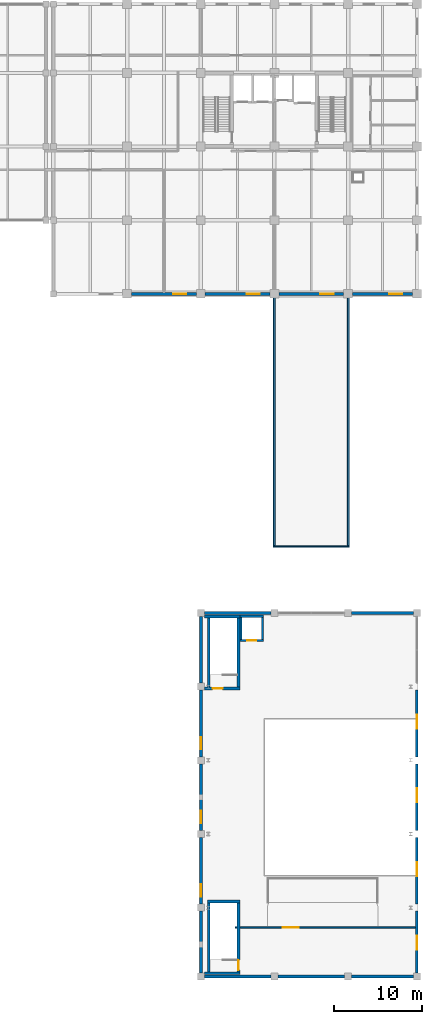
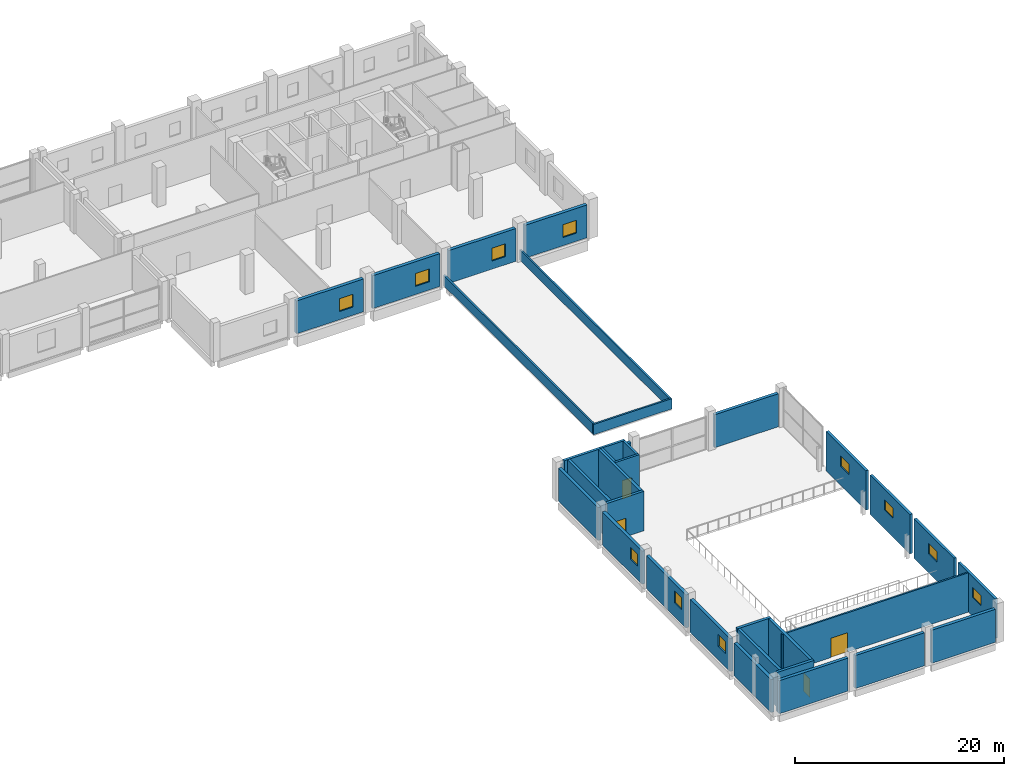
# One storey, part 23 of 31: 34 walls, 11 windows, 4 doors, 15 openings.
"""IFC4 building model written with IfcOpenShell, lengths in metres."""

from ifc_helpers import new_model, si_unit, direction, frame, frame_2d, origin, place, context, subcontext, project, spatial, rectangle, extrude, material, layer, layer_set, type_object, element, fill, save


model = new_model("IFC4")

# Units and contexts
model_context = context("Model", 3, precision=1e-05, world=origin(), true_north=direction((0.0, 1.0)))
body_context = subcontext(model_context, "Body", "Model", "MODEL_VIEW")
ifc_project = project(units=[si_unit("LENGTHUNIT", "METRE"), si_unit("AREAUNIT", "SQUARE_METRE"), si_unit("VOLUMEUNIT", "CUBIC_METRE"), si_unit("PLANEANGLEUNIT", "RADIAN"), si_unit("MASSUNIT", "GRAM", prefix="KILO")], contexts=[model_context])

# Site, building, storey
site_placement = place(None, origin())
site = spatial("IfcSite", under=ifc_project, at=site_placement, CompositionType="ELEMENT")
building_placement = place(site_placement, origin())
building = spatial("IfcBuilding", under=site, at=building_placement, Name="Brinegate Botanical Conservatory", CompositionType="ELEMENT")
storey_placement = place(building_placement, frame((0.0, 0.0, 5.39990234375)))
storey = spatial("IfcBuildingStorey", under=building, at=storey_placement, Name="L02", CompositionType="ELEMENT", Elevation=5.39990234375)

# Wall, opening, window
ifc_material_1 = material(Name="Precast concrete C40/50 architectural panel", Category="concrete")
ifc_layer_1 = layer(ifc_material_1, 0.280029296875, Name="Precast concrete C40/50 architectural panel", Category="concrete")
ifc_layer_set_1 = layer_set([ifc_layer_1], Name="Precast concrete C40/50 architectural panel")
wall_type_1 = type_object("IfcWallType", Name="Wall_EW-280P", PredefinedType="STANDARD", material=ifc_layer_set_1)
wall_1_placement = place(storey_placement, frame((163.449951171875, 8.0, 0.0), z_axis=(0.0, 0.0, 1.0), x_axis=(0.0, -1.0, 0.0)))
wall_1 = element("IfcWall", 1, at=wall_1_placement, inside=storey, type_object=wall_type_1, Name="Auditorium east acoustic wall L02.1", PredefinedType="STANDARD", context=body_context, shape_type="SweptSolid", body=[
    extrude(rectangle(XDim=7.050048828125, YDim=0.280029296875, at=frame_2d((3.52490234375, 0.0))), origin(), (0.0, 0.0, 1.0), 4.60009765625),
])
opening_1_placement = place(wall_1_placement, frame((2.800048828125, 0.0, 2.199951171875)))
opening_1 = element("IfcOpeningElement", 2, at=opening_1_placement, cuts=wall_1, Name="Opening WN-17", PredefinedType="OPENING", context=body_context, shape_type="SweptSolid", body=[
    extrude(rectangle(XDim=1.60009765625, YDim=1.199951171875, at=frame_2d((0.800048828125, 0.60009765625))), frame((0.0, 0.14990234375, 0.0), z_axis=(0.0, -1.0, 0.0), x_axis=(1.0, 0.0, 0.0)), (0.0, 0.0, 1.0), 0.300048828125),
])
ifc_material_2 = material(Name="Thermally broken aluminium-framed Low-E glass", Category="aluminium")
window_type_1 = type_object("IfcWindowType", Name="Win_WN-17", PartitioningType="DOUBLE_PANEL_HORIZONTAL", PredefinedType="WINDOW", material=ifc_material_2)
window_1_placement = place(opening_1_placement, origin())
window_1 = element("IfcWindow", 3, at=window_1_placement, inside=storey, type_object=window_type_1, Name="Auditorium east clerestory window 1", OverallHeight=1.199951171875, OverallWidth=1.60009765625, PartitioningType="DOUBLE_PANEL_HORIZONTAL", PredefinedType="WINDOW", context=body_context, shape_type="SweptSolid", body=[
    extrude(rectangle(XDim=1.60009765625, YDim=1.199951171875, at=frame_2d((0.800048828125, 0.60009765625))), frame((0.0, 0.030029296875, 0.0), z_axis=(0.0, -1.0, 0.0), x_axis=(1.0, 0.0, 0.0)), (0.0, 0.0, 1.0), 0.06005859375),
])
fill(opening_1, window_1)

wall_2_placement = place(storey_placement, frame((163.449951171875, 16.39990234375, 0.0), z_axis=(0.0, 0.0, 1.0), x_axis=(0.0, -1.0, 0.0)))
wall_2 = element("IfcWall", 4, at=wall_2_placement, inside=storey, type_object=wall_type_1, Name="Auditorium east acoustic wall L02.2", PredefinedType="STANDARD", context=body_context, shape_type="SweptSolid", body=[
    extrude(rectangle(XDim=7.599853515625, YDim=0.280029296875, at=frame_2d((3.7998046875, 0.0))), origin(), (0.0, 0.0, 1.0), 4.60009765625),
])
opening_2_placement = place(wall_2_placement, frame((2.800048828125, 0.0, 2.199951171875)))
opening_2 = element("IfcOpeningElement", 5, at=opening_2_placement, cuts=wall_2, Name="Opening WN-17", PredefinedType="OPENING", context=body_context, shape_type="SweptSolid", body=[
    extrude(rectangle(XDim=1.60009765625, YDim=1.199951171875, at=frame_2d((0.800048828125, 0.60009765625))), frame((0.0, 0.14990234375, 0.0), z_axis=(0.0, -1.0, 0.0), x_axis=(1.0, 0.0, 0.0)), (0.0, 0.0, 1.0), 0.300048828125),
])
window_2_placement = place(opening_2_placement, origin())
window_2 = element("IfcWindow", 6, at=window_2_placement, inside=storey, type_object=window_type_1, Name="Auditorium east clerestory window 2", OverallHeight=1.199951171875, OverallWidth=1.60009765625, PartitioningType="DOUBLE_PANEL_HORIZONTAL", PredefinedType="WINDOW", context=body_context, shape_type="SweptSolid", body=[
    extrude(rectangle(XDim=1.60009765625, YDim=1.199951171875, at=frame_2d((0.800048828125, 0.60009765625))), frame((0.0, 0.030029296875, 0.0), z_axis=(0.0, -1.0, 0.0), x_axis=(1.0, 0.0, 0.0)), (0.0, 0.0, 1.0), 0.06005859375),
])
fill(opening_2, window_2)

wall_3_placement = place(storey_placement, frame((163.449951171875, 24.800048828125, 0.0), z_axis=(0.0, 0.0, 1.0), x_axis=(0.0, -1.0, 0.0)))
wall_3 = element("IfcWall", 7, at=wall_3_placement, inside=storey, type_object=wall_type_1, Name="Auditorium east acoustic wall L02.3", PredefinedType="STANDARD", context=body_context, shape_type="SweptSolid", body=[
    extrude(rectangle(XDim=7.60009765625, YDim=0.280029296875, at=frame_2d((3.800048828125, 0.0))), origin(), (0.0, 0.0, 1.0), 4.60009765625),
])
opening_3_placement = place(wall_3_placement, frame((2.800048828125, 0.0, 2.199951171875)))
opening_3 = element("IfcOpeningElement", 8, at=opening_3_placement, cuts=wall_3, Name="Opening WN-17", PredefinedType="OPENING", context=body_context, shape_type="SweptSolid", body=[
    extrude(rectangle(XDim=1.60009765625, YDim=1.199951171875, at=frame_2d((0.800048828125, 0.60009765625))), frame((0.0, 0.14990234375, 0.0), z_axis=(0.0, -1.0, 0.0), x_axis=(1.0, 0.0, 0.0)), (0.0, 0.0, 1.0), 0.300048828125),
])
window_3_placement = place(opening_3_placement, origin())
window_3 = element("IfcWindow", 9, at=window_3_placement, inside=storey, type_object=window_type_1, Name="Auditorium east clerestory window 3", OverallHeight=1.199951171875, OverallWidth=1.60009765625, PartitioningType="DOUBLE_PANEL_HORIZONTAL", PredefinedType="WINDOW", context=body_context, shape_type="SweptSolid", body=[
    extrude(rectangle(XDim=1.60009765625, YDim=1.199951171875, at=frame_2d((0.800048828125, 0.60009765625))), frame((0.0, 0.030029296875, 0.0), z_axis=(0.0, -1.0, 0.0), x_axis=(1.0, 0.0, 0.0)), (0.0, 0.0, 1.0), 0.06005859375),
])
fill(opening_3, window_3)

wall_4_placement = place(storey_placement, frame((163.449951171875, 33.199951171875, 0.0), z_axis=(0.0, 0.0, 1.0), x_axis=(0.0, -1.0, 0.0)))
wall_4 = element("IfcWall", 10, at=wall_4_placement, inside=storey, type_object=wall_type_1, Name="Auditorium east acoustic wall L02.4", PredefinedType="STANDARD", context=body_context, shape_type="SweptSolid", body=[
    extrude(rectangle(XDim=7.599853515625, YDim=0.280029296875, at=frame_2d((3.7998046875, 0.0))), origin(), (0.0, 0.0, 1.0), 4.60009765625),
])
opening_4_placement = place(wall_4_placement, frame((2.800048828125, 0.0, 2.199951171875)))
opening_4 = element("IfcOpeningElement", 11, at=opening_4_placement, cuts=wall_4, Name="Opening WN-17", PredefinedType="OPENING", context=body_context, shape_type="SweptSolid", body=[
    extrude(rectangle(XDim=1.60009765625, YDim=1.199951171875, at=frame_2d((0.800048828125, 0.60009765625))), frame((0.0, 0.14990234375, 0.0), z_axis=(0.0, -1.0, 0.0), x_axis=(1.0, 0.0, 0.0)), (0.0, 0.0, 1.0), 0.300048828125),
])
window_4_placement = place(opening_4_placement, origin())
window_4 = element("IfcWindow", 12, at=window_4_placement, inside=storey, type_object=window_type_1, Name="Auditorium east clerestory window 4", OverallHeight=1.199951171875, OverallWidth=1.60009765625, PartitioningType="DOUBLE_PANEL_HORIZONTAL", PredefinedType="WINDOW", context=body_context, shape_type="SweptSolid", body=[
    extrude(rectangle(XDim=1.60009765625, YDim=1.199951171875, at=frame_2d((0.800048828125, 0.60009765625))), frame((0.0, 0.030029296875, 0.0), z_axis=(0.0, -1.0, 0.0), x_axis=(1.0, 0.0, 0.0)), (0.0, 0.0, 1.0), 0.06005859375),
])
fill(opening_4, window_4)

# Wall
ifc_material_3 = material(Name="Insulated Minnan red clay brick masonry", Category="masonry")
ifc_layer_2 = layer(ifc_material_3, 0.340087890625, Name="Insulated Minnan red clay brick masonry", Category="masonry")
ifc_layer_set_2 = layer_set([ifc_layer_2], Name="Insulated Minnan red clay brick masonry")
wall_type_2 = type_object("IfcWallType", Name="Wall_EW-340B", PredefinedType="STANDARD", material=ifc_layer_set_2)
wall_5_placement = place(storey_placement, frame((138.800048828125, 0.949951171875, 0.0), z_axis=(0.0, 0.0, 1.0), x_axis=(0.0, 1.0, 0.0)))
element("IfcWall", 13, at=wall_5_placement, inside=storey, type_object=wall_type_2, Name="Auditorium west red-brick wall L02.1", PredefinedType="STANDARD", context=body_context, shape_type="SweptSolid", body=[
    extrude(rectangle(XDim=7.050048828125, YDim=0.340087890625, at=frame_2d((3.52490234375, 0.0))), origin(), (0.0, 0.0, 1.0), 3.85009765625),
])

# Wall, opening, window
wall_6_placement = place(storey_placement, frame((138.800048828125, 8.800048828125, 0.0), z_axis=(0.0, 0.0, 1.0), x_axis=(0.0, 1.0, 0.0)))
wall_6 = element("IfcWall", 14, at=wall_6_placement, inside=storey, type_object=wall_type_2, Name="Auditorium west red-brick wall L02.2", PredefinedType="STANDARD", context=body_context, shape_type="SweptSolid", body=[
    extrude(rectangle(XDim=7.599853515625, YDim=0.340087890625, at=frame_2d((3.7998046875, 0.0))), origin(), (0.0, 0.0, 1.0), 3.85009765625),
])
opening_5_placement = place(wall_6_placement, frame((0.85009765625, 0.0, 1.60009765625)))
opening_5 = element("IfcOpeningElement", 15, at=opening_5_placement, cuts=wall_6, Name="Opening WN-16", PredefinedType="OPENING", context=body_context, shape_type="SweptSolid", body=[
    extrude(rectangle(XDim=1.39990234375, YDim=1.39990234375, at=frame_2d((0.699951171875, 0.699951171875))), frame((0.0, 0.179931640625, 0.0), z_axis=(0.0, -1.0, 0.0), x_axis=(1.0, 0.0, 0.0)), (0.0, 0.0, 1.0), 0.360107421875),
])
window_type_2 = type_object("IfcWindowType", Name="Win_WN-16", PartitioningType="SINGLE_PANEL", PredefinedType="WINDOW", material=ifc_material_2)
window_5_placement = place(opening_5_placement, origin())
window_5 = element("IfcWindow", 16, at=window_5_placement, inside=storey, type_object=window_type_2, Name="Auditorium west auxiliary window L02.2", OverallHeight=1.39990234375, OverallWidth=1.39990234375, PartitioningType="SINGLE_PANEL", PredefinedType="WINDOW", context=body_context, shape_type="SweptSolid", body=[
    extrude(rectangle(XDim=1.39990234375, YDim=1.39990234375, at=frame_2d((0.699951171875, 0.699951171875))), frame((0.0, 0.030029296875, 0.0), z_axis=(0.0, -1.0, 0.0), x_axis=(1.0, 0.0, 0.0)), (0.0, 0.0, 1.0), 0.06005859375),
])
fill(opening_5, window_5)

wall_7_placement = place(storey_placement, frame((138.800048828125, 17.199951171875, 0.0), z_axis=(0.0, 0.0, 1.0), x_axis=(0.0, 1.0, 0.0)))
wall_7 = element("IfcWall", 17, at=wall_7_placement, inside=storey, type_object=wall_type_2, Name="Auditorium west red-brick wall L02.3", PredefinedType="STANDARD", context=body_context, shape_type="SweptSolid", body=[
    extrude(rectangle(XDim=7.60009765625, YDim=0.340087890625, at=frame_2d((3.800048828125, 0.0))), origin(), (0.0, 0.0, 1.0), 3.85009765625),
])
opening_6_placement = place(wall_7_placement, frame((0.85009765625, 0.0, 1.60009765625)))
opening_6 = element("IfcOpeningElement", 18, at=opening_6_placement, cuts=wall_7, Name="Opening WN-16", PredefinedType="OPENING", context=body_context, shape_type="SweptSolid", body=[
    extrude(rectangle(XDim=1.39990234375, YDim=1.39990234375, at=frame_2d((0.699951171875, 0.699951171875))), frame((0.0, 0.179931640625, 0.0), z_axis=(0.0, -1.0, 0.0), x_axis=(1.0, 0.0, 0.0)), (0.0, 0.0, 1.0), 0.360107421875),
])
window_6_placement = place(opening_6_placement, origin())
window_6 = element("IfcWindow", 19, at=window_6_placement, inside=storey, type_object=window_type_2, Name="Auditorium west auxiliary window L02.3", OverallHeight=1.39990234375, OverallWidth=1.39990234375, PartitioningType="SINGLE_PANEL", PredefinedType="WINDOW", context=body_context, shape_type="SweptSolid", body=[
    extrude(rectangle(XDim=1.39990234375, YDim=1.39990234375, at=frame_2d((0.699951171875, 0.699951171875))), frame((0.0, 0.030029296875, 0.0), z_axis=(0.0, -1.0, 0.0), x_axis=(1.0, 0.0, 0.0)), (0.0, 0.0, 1.0), 0.06005859375),
])
fill(opening_6, window_6)

wall_8_placement = place(storey_placement, frame((138.800048828125, 25.60009765625, 0.0), z_axis=(0.0, 0.0, 1.0), x_axis=(0.0, 1.0, 0.0)))
wall_8 = element("IfcWall", 20, at=wall_8_placement, inside=storey, type_object=wall_type_2, Name="Auditorium west red-brick wall L02.4", PredefinedType="STANDARD", context=body_context, shape_type="SweptSolid", body=[
    extrude(rectangle(XDim=7.599853515625, YDim=0.340087890625, at=frame_2d((3.7998046875, 0.0))), origin(), (0.0, 0.0, 1.0), 3.85009765625),
])
opening_7_placement = place(wall_8_placement, frame((0.85009765625, 0.0, 1.60009765625)))
opening_7 = element("IfcOpeningElement", 21, at=opening_7_placement, cuts=wall_8, Name="Opening WN-16", PredefinedType="OPENING", context=body_context, shape_type="SweptSolid", body=[
    extrude(rectangle(XDim=1.39990234375, YDim=1.39990234375, at=frame_2d((0.699951171875, 0.699951171875))), frame((0.0, 0.179931640625, 0.0), z_axis=(0.0, -1.0, 0.0), x_axis=(1.0, 0.0, 0.0)), (0.0, 0.0, 1.0), 0.360107421875),
])
window_7_placement = place(opening_7_placement, origin())
window_7 = element("IfcWindow", 22, at=window_7_placement, inside=storey, type_object=window_type_2, Name="Auditorium west auxiliary window L02.4", OverallHeight=1.39990234375, OverallWidth=1.39990234375, PartitioningType="SINGLE_PANEL", PredefinedType="WINDOW", context=body_context, shape_type="SweptSolid", body=[
    extrude(rectangle(XDim=1.39990234375, YDim=1.39990234375, at=frame_2d((0.699951171875, 0.699951171875))), frame((0.0, 0.030029296875, 0.0), z_axis=(0.0, -1.0, 0.0), x_axis=(1.0, 0.0, 0.0)), (0.0, 0.0, 1.0), 0.06005859375),
])
fill(opening_7, window_7)

# Walls
for number, where, z_axis, x_axis, name in (
    (23, (138.800048828125, 34.0, 0.0), (0.0, 0.0, 1.0), (0.0, 1.0, 0.0), "Auditorium west red-brick wall L02.5"),
    (24, (146.800048828125, 0.550048828125, 0.0), (0.0, 0.0, 1.0), (-1.0, 0.0, 0.0), "Auditorium south wall L02.1"),
    (25, (139.199951171875, 42.0, 0.0), (0.0, 0.0, 1.0), (1.0, 0.0, 0.0), "Auditorium north court wall L02.1"),
):
    element("IfcWall", number, at=place(storey_placement, frame(where, z_axis=z_axis, x_axis=x_axis)), inside=storey, type_object=wall_type_2, Name=name, PredefinedType="STANDARD", context=body_context, shape_type="SweptSolid", body=[
        extrude(rectangle(XDim=7.60009765625, YDim=0.340087890625, at=frame_2d((3.800048828125, 0.0))), origin(), (0.0, 0.0, 1.0), 3.85009765625),
    ])
wall_9_placement = place(storey_placement, frame((155.199951171875, 0.550048828125, 0.0), z_axis=(0.0, 0.0, 1.0), x_axis=(-1.0, 0.0, 0.0)))
element("IfcWall", 26, at=wall_9_placement, inside=storey, type_object=wall_type_2, Name="Auditorium south wall L02.2", PredefinedType="STANDARD", context=body_context, shape_type="SweptSolid", body=[
    extrude(rectangle(XDim=7.599853515625, YDim=0.340087890625, at=frame_2d((3.7998046875, 0.0))), origin(), (0.0, 0.0, 1.0), 3.85009765625),
])
for number, where, z_axis, x_axis, name in (
    (27, (163.050048828125, 0.550048828125, 0.0), (0.0, 0.0, 1.0), (-1.0, 0.0, 0.0), "Auditorium south wall L02.3"),
    (28, (156.0, 42.0, 0.0), (0.0, 0.0, 1.0), (1.0, 0.0, 0.0), "Auditorium north court wall L02.3"),
):
    element("IfcWall", number, at=place(storey_placement, frame(where, z_axis=z_axis, x_axis=x_axis)), inside=storey, type_object=wall_type_2, Name=name, PredefinedType="STANDARD", context=body_context, shape_type="SweptSolid", body=[
        extrude(rectangle(XDim=7.050048828125, YDim=0.340087890625, at=frame_2d((3.52490234375, 0.0))), origin(), (0.0, 0.0, 1.0), 3.85009765625),
    ])

# Wall, opening, window
ifc_layer_3 = layer(ifc_material_3, 0.360107421875, Name="Insulated Minnan red clay brick masonry", Category="masonry")
ifc_layer_set_3 = layer_set([ifc_layer_3], Name="Insulated Minnan red clay brick masonry")
wall_type_3 = type_object("IfcWallType", Name="Wall_EW-360B", PredefinedType="STANDARD", material=ifc_layer_set_3)
wall_10_placement = place(storey_placement, frame((138.300048828125, 78.39990234375, 0.0), z_axis=(0.0, 0.0, 1.0), x_axis=(-1.0, 0.0, 0.0)))
wall_10 = element("IfcWall", 29, at=wall_10_placement, inside=storey, type_object=wall_type_3, Name="Tower south facade wall L02.2", PredefinedType="STANDARD", context=body_context, shape_type="SweptSolid", body=[
    extrude(rectangle(XDim=7.400146484375, YDim=0.360107421875, at=frame_2d((3.7001953125, 0.0))), origin(), (0.0, 0.0, 1.0), 3.830078125),
])
opening_8_placement = place(wall_10_placement, frame((1.14990234375, 0.0, 0.949951171875)))
opening_8 = element("IfcOpeningElement", 30, at=opening_8_placement, cuts=wall_10, Name="Opening WN-08", PredefinedType="OPENING", context=body_context, shape_type="SweptSolid", body=[
    extrude(rectangle(XDim=1.5, YDim=1.5, at=frame_2d((0.75, 0.75))), frame((0.0, 0.18994140625, 0.0), z_axis=(0.0, -1.0, 0.0), x_axis=(1.0, 0.0, 0.0)), (0.0, 0.0, 1.0), 0.380126953125),
])
window_type_3 = type_object("IfcWindowType", Name="Win_WN-08", PartitioningType="DOUBLE_PANEL_VERTICAL", PredefinedType="WINDOW", material=ifc_material_2)
window_8_placement = place(opening_8_placement, origin())
window_8 = element("IfcWindow", 31, at=window_8_placement, inside=storey, type_object=window_type_3, Name="Tower south window L02.2", OverallHeight=1.5, OverallWidth=1.5, PartitioningType="DOUBLE_PANEL_VERTICAL", PredefinedType="WINDOW", context=body_context, shape_type="SweptSolid", body=[
    extrude(rectangle(XDim=1.5, YDim=1.5, at=frame_2d((0.75, 0.75))), frame((0.0, 0.030029296875, 0.0), z_axis=(0.0, -1.0, 0.0), x_axis=(1.0, 0.0, 0.0)), (0.0, 0.0, 1.0), 0.06005859375),
])
fill(opening_8, window_8)

wall_11_placement = place(storey_placement, frame((146.699951171875, 78.39990234375, 0.0), z_axis=(0.0, 0.0, 1.0), x_axis=(-1.0, 0.0, 0.0)))
wall_11 = element("IfcWall", 32, at=wall_11_placement, inside=storey, type_object=wall_type_3, Name="Tower south facade wall L02.3", PredefinedType="STANDARD", context=body_context, shape_type="SweptSolid", body=[
    extrude(rectangle(XDim=7.39990234375, YDim=0.360107421875, at=frame_2d((3.699951171875, 0.0))), origin(), (0.0, 0.0, 1.0), 3.830078125),
])
opening_9_placement = place(wall_11_placement, frame((1.14990234375, 0.0, 0.949951171875)))
opening_9 = element("IfcOpeningElement", 33, at=opening_9_placement, cuts=wall_11, Name="Opening WN-08", PredefinedType="OPENING", context=body_context, shape_type="SweptSolid", body=[
    extrude(rectangle(XDim=1.5, YDim=1.5, at=frame_2d((0.75, 0.75))), frame((0.0, 0.18994140625, 0.0), z_axis=(0.0, -1.0, 0.0), x_axis=(1.0, 0.0, 0.0)), (0.0, 0.0, 1.0), 0.380126953125),
])
window_9_placement = place(opening_9_placement, origin())
window_9 = element("IfcWindow", 34, at=window_9_placement, inside=storey, type_object=window_type_3, Name="Tower south window L02.3", OverallHeight=1.5, OverallWidth=1.5, PartitioningType="DOUBLE_PANEL_VERTICAL", PredefinedType="WINDOW", context=body_context, shape_type="SweptSolid", body=[
    extrude(rectangle(XDim=1.5, YDim=1.5, at=frame_2d((0.75, 0.75))), frame((0.0, 0.030029296875, 0.0), z_axis=(0.0, -1.0, 0.0), x_axis=(1.0, 0.0, 0.0)), (0.0, 0.0, 1.0), 0.06005859375),
])
fill(opening_9, window_9)

wall_12_placement = place(storey_placement, frame((155.10009765625, 78.39990234375, 0.0), z_axis=(0.0, 0.0, 1.0), x_axis=(-1.0, 0.0, 0.0)))
wall_12 = element("IfcWall", 35, at=wall_12_placement, inside=storey, type_object=wall_type_3, Name="Tower south facade wall L02.4", PredefinedType="STANDARD", context=body_context, shape_type="SweptSolid", body=[
    extrude(rectangle(XDim=7.400146484375, YDim=0.360107421875, at=frame_2d((3.7001953125, 0.0))), origin(), (0.0, 0.0, 1.0), 3.830078125),
])
opening_10_placement = place(wall_12_placement, frame((1.14990234375, 0.0, 0.949951171875)))
opening_10 = element("IfcOpeningElement", 36, at=opening_10_placement, cuts=wall_12, Name="Opening WN-08", PredefinedType="OPENING", context=body_context, shape_type="SweptSolid", body=[
    extrude(rectangle(XDim=1.5, YDim=1.5, at=frame_2d((0.75, 0.75))), frame((0.0, 0.18994140625, 0.0), z_axis=(0.0, -1.0, 0.0), x_axis=(1.0, 0.0, 0.0)), (0.0, 0.0, 1.0), 0.380126953125),
])
window_10_placement = place(opening_10_placement, origin())
window_10 = element("IfcWindow", 37, at=window_10_placement, inside=storey, type_object=window_type_3, Name="Tower south window L02.4", OverallHeight=1.5, OverallWidth=1.5, PartitioningType="DOUBLE_PANEL_VERTICAL", PredefinedType="WINDOW", context=body_context, shape_type="SweptSolid", body=[
    extrude(rectangle(XDim=1.5, YDim=1.5, at=frame_2d((0.75, 0.75))), frame((0.0, 0.030029296875, 0.0), z_axis=(0.0, -1.0, 0.0), x_axis=(1.0, 0.0, 0.0)), (0.0, 0.0, 1.0), 0.06005859375),
])
fill(opening_10, window_10)

wall_13_placement = place(storey_placement, frame((162.949951171875, 78.39990234375, 0.0), z_axis=(0.0, 0.0, 1.0), x_axis=(-1.0, 0.0, 0.0)))
wall_13 = element("IfcWall", 38, at=wall_13_placement, inside=storey, type_object=wall_type_3, Name="Tower south facade wall L02.5", PredefinedType="STANDARD", context=body_context, shape_type="SweptSolid", body=[
    extrude(rectangle(XDim=6.849853515625, YDim=0.360107421875, at=frame_2d((3.4248046875, 0.0))), origin(), (0.0, 0.0, 1.0), 3.830078125),
])
opening_11_placement = place(wall_13_placement, frame((1.14990234375, 0.0, 0.949951171875)))
opening_11 = element("IfcOpeningElement", 39, at=opening_11_placement, cuts=wall_13, Name="Opening WN-08", PredefinedType="OPENING", context=body_context, shape_type="SweptSolid", body=[
    extrude(rectangle(XDim=1.5, YDim=1.5, at=frame_2d((0.75, 0.75))), frame((0.0, 0.18994140625, 0.0), z_axis=(0.0, -1.0, 0.0), x_axis=(1.0, 0.0, 0.0)), (0.0, 0.0, 1.0), 0.380126953125),
])
window_11_placement = place(opening_11_placement, origin())
window_11 = element("IfcWindow", 40, at=window_11_placement, inside=storey, type_object=window_type_3, Name="Tower south window L02.5", OverallHeight=1.5, OverallWidth=1.5, PartitioningType="DOUBLE_PANEL_VERTICAL", PredefinedType="WINDOW", context=body_context, shape_type="SweptSolid", body=[
    extrude(rectangle(XDim=1.5, YDim=1.5, at=frame_2d((0.75, 0.75))), frame((0.0, 0.030029296875, 0.0), z_axis=(0.0, -1.0, 0.0), x_axis=(1.0, 0.0, 0.0)), (0.0, 0.0, 1.0), 0.06005859375),
])
fill(opening_11, window_11)

# Walls
ifc_material_4 = material(Name="Precast concrete C40/50 coping parapet", Category="concrete")
ifc_layer_4 = layer(ifc_material_4, 0.18994140625, Name="Precast concrete C40/50 coping parapet", Category="concrete")
ifc_layer_set_4 = layer_set([ifc_layer_4], Name="Precast concrete C40/50 coping parapet")
wall_type_4 = type_object("IfcWallType", Name="Wall_PR-190", PredefinedType="PARAPET", material=ifc_layer_set_4)
wall_14_placement = place(storey_placement, frame((147.090087890625, 49.5849609375, 0.0), z_axis=(0.0, 0.0, 1.0), x_axis=(1.0, 0.0, 0.0)))
element("IfcWall", 41, at=wall_14_placement, inside=storey, type_object=wall_type_4, Name="Vehicle ramp portal roof parapet 1", PredefinedType="PARAPET", context=body_context, shape_type="SweptSolid", body=[
    extrude(rectangle(XDim=8.619873046875, YDim=0.18994140625, at=frame_2d((4.31005859375, 0.0))), origin(), (0.0, 0.0, 1.0), 1.2001953125),
])
for number, where, z_axis, x_axis, name in (
    (42, (147.18505859375, 49.679931640625, 0.0), (0.0, 0.0, 1.0), (0.0, 1.0, 0.0), "Vehicle ramp portal roof parapet 2"),
    (43, (155.614990234375, 78.219970703125, 0.0), (0.0, 0.0, 1.0), (0.0, -1.0, 0.0), "Vehicle ramp portal roof parapet 3"),
):
    element("IfcWall", number, at=place(storey_placement, frame(where, z_axis=z_axis, x_axis=x_axis)), inside=storey, type_object=wall_type_4, Name=name, PredefinedType="PARAPET", context=body_context, shape_type="SweptSolid", body=[
        extrude(rectangle(XDim=28.5400390625, YDim=0.18994140625, at=frame_2d((14.27001953125, 0.0))), origin(), (0.0, 0.0, 1.0), 1.2001953125),
    ])

# Wall, opening, door
ifc_material_5 = material(Name="Autoclaved aerated concrete C40/50 blockwork", Category="masonry")
ifc_layer_5 = layer(ifc_material_5, 0.179931640625, Name="Autoclaved aerated concrete C40/50 blockwork", Category="masonry")
ifc_layer_set_5 = layer_set([ifc_layer_5], Name="Autoclaved aerated concrete C40/50 blockwork")
wall_type_5 = type_object("IfcWallType", Name="Wall_PW-180F", PredefinedType="STANDARD", material=ifc_layer_set_5)
wall_15_placement = place(storey_placement, frame((142.75, 6.1201171875, 0.0), z_axis=(0.0, 0.0, 1.0), x_axis=(1.0, 0.0, 0.0)))
wall_15 = element("IfcWall", 44, at=wall_15_placement, inside=storey, type_object=wall_type_5, Name="Interior partition P-L02-V2-UT", PredefinedType="STANDARD", context=body_context, shape_type="SweptSolid", body=[
    extrude(rectangle(XDim=20.60009765625, YDim=0.179931640625, at=frame_2d((10.300048828125, 0.0))), origin(), (0.0, 0.0, 1.0), 4.580078125),
])
opening_12_placement = place(wall_15_placement, frame((5.39990234375, 0.0, 0.0)))
opening_12 = element("IfcOpeningElement", 45, at=opening_12_placement, cuts=wall_15, Name="Opening DR-DBL1", PredefinedType="OPENING", context=body_context, shape_type="SweptSolid", body=[
    extrude(rectangle(XDim=1.85009765625, YDim=2.25, at=frame_2d((0.925048828125, 1.125))), frame((0.0, 0.099853515625, 0.0), z_axis=(0.0, -1.0, 0.0), x_axis=(1.0, 0.0, 0.0)), (0.0, 0.0, 1.0), 0.199951171875),
])
ifc_material_6 = material(Name="Anodised aluminium and safety glass", Category="aluminium")
door_type_1 = type_object("IfcDoorType", Name="Door_DR-DBL1", OperationType="NOTDEFINED", PredefinedType="DOOR", material=ifc_material_6)
door_1_placement = place(opening_12_placement, origin())
door_1 = element("IfcDoor", 46, at=door_1_placement, inside=storey, type_object=door_type_1, Name="DR-P-L02-V2-UT-1", OperationType="SINGLE_SWING_LEFT", OverallHeight=2.25, OverallWidth=1.85009765625, PredefinedType="DOOR", context=body_context, shape_type="SweptSolid", body=[
    extrude(rectangle(XDim=1.85009765625, YDim=2.25, at=frame_2d((0.925048828125, 1.125))), frame((0.0, 0.02490234375, 0.0), z_axis=(0.0, -1.0, 0.0), x_axis=(1.0, 0.0, 0.0)), (0.0, 0.0, 1.0), 0.050048828125),
])
fill(opening_12, door_1)

ifc_material_7 = material(Name="Concrete C40/50", Category="concrete")
ifc_layer_6 = layer(ifc_material_7, 0.25, Name="Concrete C40/50", Category="concrete")
ifc_layer_set_6 = layer_set([ifc_layer_6], Name="Concrete C40/50")
wall_type_6 = type_object("IfcWallType", Name="Wall_SW-250", PredefinedType="SHEAR", material=ifc_layer_set_6)
wall_16_placement = place(storey_placement, frame((143.25, 38.875, 0.0), z_axis=(0.0, 0.0, 1.0), x_axis=(1.0, 0.0, 0.0)))
wall_16 = element("IfcWall", 47, at=wall_16_placement, inside=storey, type_object=wall_type_6, Name="Lift shaft LF6 shear wall L02 S", PredefinedType="SHEAR", context=body_context, shape_type="SweptSolid", body=[
    extrude(rectangle(XDim=2.699951171875, YDim=0.25, at=frame_2d((1.35009765625, 0.0))), origin(), (0.0, 0.0, 1.0), 4.60009765625),
])
opening_13_placement = place(wall_16_placement, frame((0.8349609375, 0.0, 0.0)))
opening_13 = element("IfcOpeningElement", 48, at=opening_13_placement, cuts=wall_16, Name="Opening LD-06", PredefinedType="OPENING", context=body_context, shape_type="SweptSolid", body=[
    extrude(rectangle(XDim=1.030029296875, YDim=2.14990234375, at=frame_2d((0.51513671875, 1.074951171875))), frame((0.0, 0.135009765625, 0.0), z_axis=(0.0, -1.0, 0.0), x_axis=(1.0, 0.0, 0.0)), (0.0, 0.0, 1.0), 0.27001953125),
])
ifc_material_8 = material(Name="Brushed stainless steel S355 landing door", Category="steel")
door_type_2 = type_object("IfcDoorType", Name="Door_LD-06", OperationType="SLIDING_TO_LEFT", PredefinedType="DOOR", material=ifc_material_8)
door_2_placement = place(opening_13_placement, origin())
door_2 = element("IfcDoor", 49, at=door_2_placement, inside=storey, type_object=door_type_2, Name="LD-LF6-L02", OperationType="SLIDING_TO_LEFT", OverallHeight=2.14990234375, OverallWidth=1.030029296875, PredefinedType="DOOR", context=body_context, shape_type="SweptSolid", body=[
    extrude(rectangle(XDim=1.030029296875, YDim=2.14990234375, at=frame_2d((0.51513671875, 1.074951171875))), frame((0.0, 0.02490234375, 0.0), z_axis=(0.0, -1.0, 0.0), x_axis=(1.0, 0.0, 0.0)), (0.0, 0.0, 1.0), 0.050048828125),
])
fill(opening_13, door_2)

# Walls
wall_17_placement = place(storey_placement, frame((143.25, 41.625, 0.0), z_axis=(0.0, 0.0, 1.0), x_axis=(1.0, 0.0, 0.0)))
element("IfcWall", 50, at=wall_17_placement, inside=storey, type_object=wall_type_6, Name="Lift shaft LF6 shear wall L02 N", PredefinedType="SHEAR", context=body_context, shape_type="SweptSolid", body=[
    extrude(rectangle(XDim=2.699951171875, YDim=0.25, at=frame_2d((1.35009765625, 0.0))), origin(), (0.0, 0.0, 1.0), 4.60009765625),
])
for number, where, z_axis, x_axis, name in (
    (51, (143.375, 39.0, 0.0), (0.0, 0.0, 1.0), (0.0, 1.0, 0.0), "Lift shaft LF6 shear wall L02 W"),
    (52, (145.824951171875, 39.0, 0.0), (0.0, 0.0, 1.0), (0.0, 1.0, 0.0), "Lift shaft LF6 shear wall L02 E"),
):
    element("IfcWall", number, at=place(storey_placement, frame(where, z_axis=z_axis, x_axis=x_axis)), inside=storey, type_object=wall_type_6, Name=name, PredefinedType="SHEAR", context=body_context, shape_type="SweptSolid", body=[
        extrude(rectangle(XDim=2.5, YDim=0.25, at=frame_2d((1.25, 0.0))), origin(), (0.0, 0.0, 1.0), 4.60009765625),
    ])

# Wall, opening, door
ifc_layer_7 = layer(ifc_material_7, 0.300048828125, Name="Concrete C40/50", Category="concrete")
ifc_layer_set_7 = layer_set([ifc_layer_7], Name="Concrete C40/50")
wall_type_7 = type_object("IfcWallType", Name="Wall_SW-300", PredefinedType="SHEAR", material=ifc_layer_set_7)
wall_18_placement = place(storey_placement, frame((139.199951171875, 33.39990234375, 0.0), z_axis=(0.0, 0.0, 1.0), x_axis=(1.0, 0.0, 0.0)))
wall_18 = element("IfcWall", 53, at=wall_18_placement, inside=storey, type_object=wall_type_7, Name="Stairwell ST5 shear wall L02 S", PredefinedType="SHEAR", context=body_context, shape_type="SweptSolid", body=[
    extrude(rectangle(XDim=4.050048828125, YDim=0.300048828125, at=frame_2d((2.02490234375, 0.0))), origin(), (0.0, 0.0, 1.0), 4.60009765625),
])
opening_14_placement = place(wall_18_placement, frame((0.949951171875, 0.0, 0.0)))
opening_14 = element("IfcOpeningElement", 54, at=opening_14_placement, cuts=wall_18, Name="Opening FD-B1", PredefinedType="OPENING", context=body_context, shape_type="SweptSolid", body=[
    extrude(rectangle(XDim=1.14990234375, YDim=2.14990234375, at=frame_2d((0.574951171875, 1.074951171875))), frame((0.0, 0.159912109375, 0.0), z_axis=(0.0, -1.0, 0.0), x_axis=(1.0, 0.0, 0.0)), (0.0, 0.0, 1.0), 0.320068359375),
])
ifc_material_9 = material(Name="Steel smoke-proof fire door assembly", Category="steel")
door_type_3 = type_object("IfcDoorType", Name="Door_FD-B1", OperationType="NOTDEFINED", PredefinedType="DOOR", material=ifc_material_9)
door_3_placement = place(opening_14_placement, origin())
door_3 = element("IfcDoor", 55, at=door_3_placement, inside=storey, type_object=door_type_3, Name="DR-ST-ST5-L02", OperationType="SINGLE_SWING_RIGHT", OverallHeight=2.14990234375, OverallWidth=1.14990234375, PredefinedType="DOOR", context=body_context, shape_type="SweptSolid", body=[
    extrude(rectangle(XDim=1.14990234375, YDim=2.14990234375, at=frame_2d((0.574951171875, 1.074951171875))), frame((0.0, 0.02490234375, 0.0), z_axis=(0.0, -1.0, 0.0), x_axis=(1.0, 0.0, 0.0)), (0.0, 0.0, 1.0), 0.050048828125),
])
fill(opening_14, door_3)

# Walls
wall_19_placement = place(storey_placement, frame((139.199951171875, 41.60009765625, 0.0), z_axis=(0.0, 0.0, 1.0), x_axis=(1.0, 0.0, 0.0)))
element("IfcWall", 56, at=wall_19_placement, inside=storey, type_object=wall_type_7, Name="Stairwell ST5 shear wall L02 N", PredefinedType="SHEAR", context=body_context, shape_type="SweptSolid", body=[
    extrude(rectangle(XDim=4.050048828125, YDim=0.300048828125, at=frame_2d((2.02490234375, 0.0))), origin(), (0.0, 0.0, 1.0), 4.60009765625),
])
for number, where, z_axis, x_axis, name in (
    (57, (139.699951171875, 33.550048828125, 0.0), (0.0, 0.0, 1.0), (0.0, 1.0, 0.0), "Stairwell ST5 shear wall L02 W"),
    (58, (143.10009765625, 33.550048828125, 0.0), (0.0, 0.0, 1.0), (0.0, 1.0, 0.0), "Stairwell ST5 shear wall L02 E"),
):
    element("IfcWall", number, at=place(storey_placement, frame(where, z_axis=z_axis, x_axis=x_axis)), inside=storey, type_object=wall_type_7, Name=name, PredefinedType="SHEAR", context=body_context, shape_type="SweptSolid", body=[
        extrude(rectangle(XDim=7.89990234375, YDim=0.300048828125, at=frame_2d((3.949951171875, 0.0))), origin(), (0.0, 0.0, 1.0), 4.60009765625),
    ])
wall_20_placement = place(storey_placement, frame((139.199951171875, 0.89990234375, 0.0), z_axis=(0.0, 0.0, 1.0), x_axis=(1.0, 0.0, 0.0)))
element("IfcWall", 59, at=wall_20_placement, inside=storey, type_object=wall_type_7, Name="Stairwell ST6 shear wall L02 S", PredefinedType="SHEAR", context=body_context, shape_type="SweptSolid", body=[
    extrude(rectangle(XDim=4.050048828125, YDim=0.300048828125, at=frame_2d((2.02490234375, 0.0))), origin(), (0.0, 0.0, 1.0), 4.60009765625),
])
wall_21_placement = place(storey_placement, frame((139.550048828125, 9.10009765625, 0.0), z_axis=(0.0, 0.0, 1.0), x_axis=(1.0, 0.0, 0.0)))
element("IfcWall", 60, at=wall_21_placement, inside=storey, type_object=wall_type_7, Name="Stairwell ST6 shear wall L02 N", PredefinedType="SHEAR", context=body_context, shape_type="SweptSolid", body=[
    extrude(rectangle(XDim=3.699951171875, YDim=0.300048828125, at=frame_2d((1.85009765625, 0.0))), origin(), (0.0, 0.0, 1.0), 4.60009765625),
])
wall_22_placement = place(storey_placement, frame((139.699951171875, 1.050048828125, 0.0), z_axis=(0.0, 0.0, 1.0), x_axis=(0.0, 1.0, 0.0)))
element("IfcWall", 61, at=wall_22_placement, inside=storey, type_object=wall_type_7, Name="Stairwell ST6 shear wall L02 W", PredefinedType="SHEAR", context=body_context, shape_type="SweptSolid", body=[
    extrude(rectangle(XDim=7.89990234375, YDim=0.300048828125, at=frame_2d((3.949951171875, 0.0))), origin(), (0.0, 0.0, 1.0), 4.60009765625),
])

# Wall, opening, door
wall_23_placement = place(storey_placement, frame((143.10009765625, 1.050048828125, 0.0), z_axis=(0.0, 0.0, 1.0), x_axis=(0.0, 1.0, 0.0)))
wall_23 = element("IfcWall", 62, at=wall_23_placement, inside=storey, type_object=wall_type_7, Name="Stairwell ST6 shear wall L02 E", PredefinedType="SHEAR", context=body_context, shape_type="SweptSolid", body=[
    extrude(rectangle(XDim=7.89990234375, YDim=0.300048828125, at=frame_2d((3.949951171875, 0.0))), origin(), (0.0, 0.0, 1.0), 4.60009765625),
])
opening_15_placement = place(wall_23_placement, frame((0.219970703125, 0.0, 0.0)))
opening_15 = element("IfcOpeningElement", 63, at=opening_15_placement, cuts=wall_23, Name="Opening FD-B1", PredefinedType="OPENING", context=body_context, shape_type="SweptSolid", body=[
    extrude(rectangle(XDim=1.14990234375, YDim=2.14990234375, at=frame_2d((0.574951171875, 1.074951171875))), frame((0.0, 0.159912109375, 0.0), z_axis=(0.0, -1.0, 0.0), x_axis=(1.0, 0.0, 0.0)), (0.0, 0.0, 1.0), 0.320068359375),
])
door_4_placement = place(opening_15_placement, origin())
door_4 = element("IfcDoor", 64, at=door_4_placement, inside=storey, type_object=door_type_3, Name="DR-ST-ST6-L02", OperationType="SINGLE_SWING_RIGHT", OverallHeight=2.14990234375, OverallWidth=1.14990234375, PredefinedType="DOOR", context=body_context, shape_type="SweptSolid", body=[
    extrude(rectangle(XDim=1.14990234375, YDim=2.14990234375, at=frame_2d((0.574951171875, 1.074951171875))), frame((0.0, 0.02490234375, 0.0), z_axis=(0.0, -1.0, 0.0), x_axis=(1.0, 0.0, 0.0)), (0.0, 0.0, 1.0), 0.050048828125),
])
fill(opening_15, door_4)

save(model, "model.ifc")
